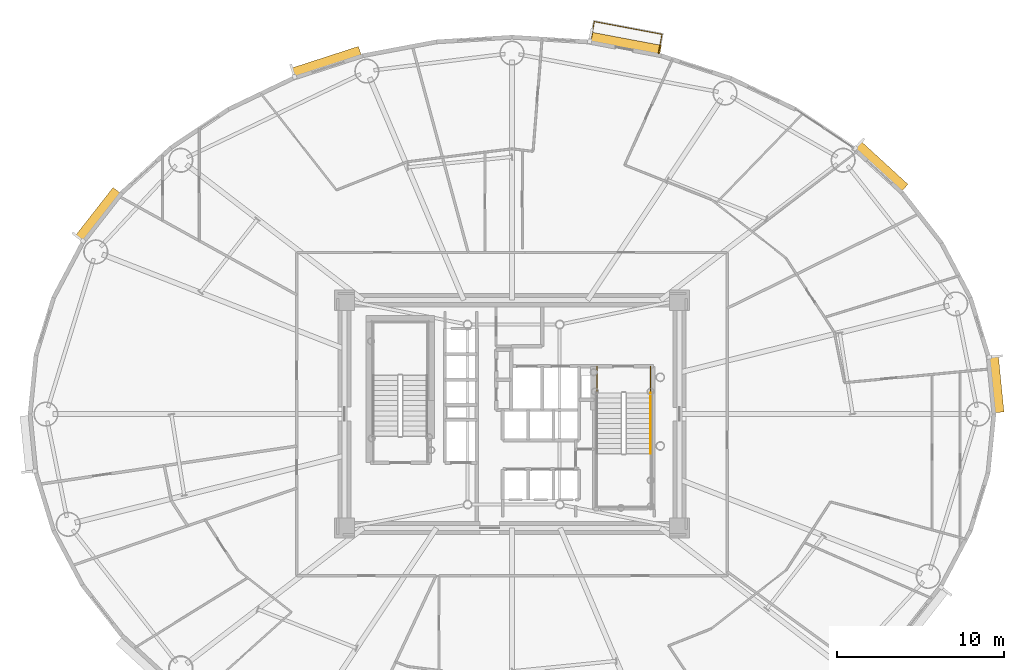
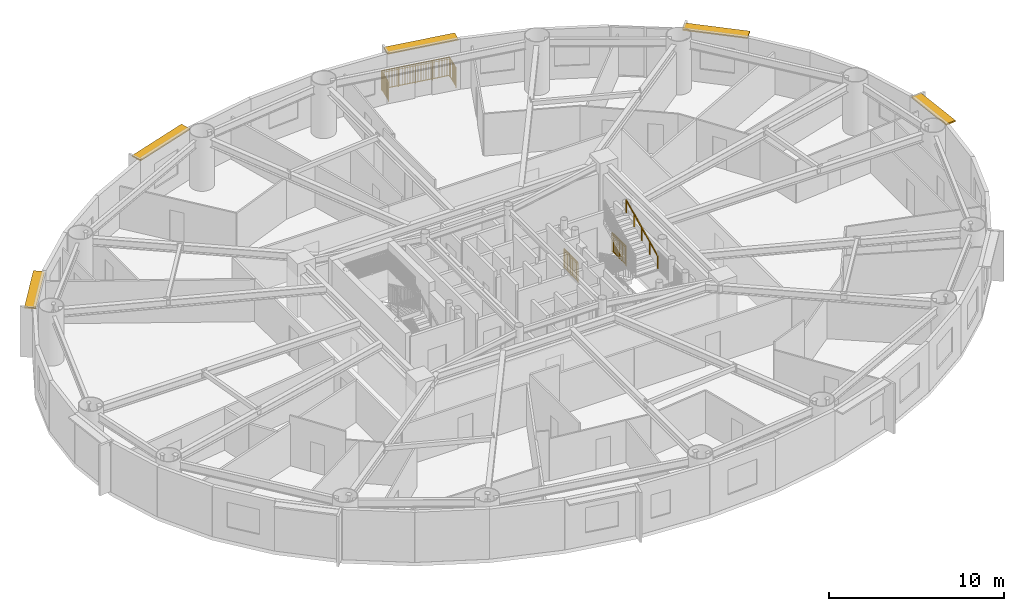
# One storey, part 21 of 21: 5 shading devices, 4 railings.
"""IFC4 building model written with IfcOpenShell, lengths in metres."""

from ifc_helpers import new_model, si_unit, direction, frame, origin, origin_2d, place, context, subcontext, project, spatial, rectangle, extrude, source, transform, mapped, material, layer, layer_set, type_object, element, save


model = new_model("IFC4")

# Units and contexts
model_context = context("Model", 3, precision=1e-05, world=origin(), true_north=direction((0.0, 1.0)))
body_context = subcontext(model_context, "Body", "Model", "MODEL_VIEW")
ifc_project = project(units=[si_unit("LENGTHUNIT", "METRE"), si_unit("AREAUNIT", "SQUARE_METRE"), si_unit("VOLUMEUNIT", "CUBIC_METRE"), si_unit("PLANEANGLEUNIT", "RADIAN"), si_unit("MASSUNIT", "GRAM", prefix="KILO")], contexts=[model_context])

# Site, building, storey
site_placement = place(None, origin())
site = spatial("IfcSite", under=ifc_project, at=site_placement, CompositionType="ELEMENT")
building_placement = place(site_placement, origin())
building = spatial("IfcBuilding", under=site, at=building_placement, Name="Linh Dai School and Residence Tower", CompositionType="ELEMENT")
storey_placement = place(building_placement, frame((0.0, 0.0, 134.699951171875)))
storey = spatial("IfcBuildingStorey", under=building, at=storey_placement, Name="L32", CompositionType="ELEMENT", Elevation=134.699951171875)

# Shading devices
ifc_material_1 = material(Name="Terracotta Ceramic Sunshade", Category="masonry")
ifc_layer = layer(ifc_material_1, 0.10009765625)
ifc_layer_set = layer_set([ifc_layer], Name="Terracotta Ceramic Sunshade")
shading_device_type = type_object("IfcShadingDeviceType", Name="SHD-TC-650", PredefinedType="USERDEFINED", material=ifc_layer_set)
shared_shape_1 = source(origin(), body_context, "Body", "SweptSolid", [
    extrude(rectangle(XDim=3.3916015625, YDim=0.64990234375, at=origin_2d()), origin(), (0.0, 0.0, 1.0), 0.10009765625),
])
shading_device_1_placement = place(storey_placement, frame((64.8818359375, 28.7861328125, 3.3798828125), z_axis=(0.0, 0.0, 1.0), x_axis=(0.100007297192, -0.994986703684, 0.0)))
element("IfcShadingDevice", 1, at=shading_device_1_placement, inside=storey, type_object=shading_device_type, Name="L32 Terracotta Horizontal Sunshade Band 01", ObjectType="SUNSHADE", PredefinedType="USERDEFINED", context=body_context, shape_type="MappedRepresentation", body=[
    mapped(shared_shape_1, transform((0.0, 0.0, 0.0), x_axis=(1.0, 0.0, 0.0), y_axis=(0.0, 1.0, 0.0), z_axis=(0.0, 0.0, 1.0), scale=1.0)),
])
shared_shape_2 = source(origin(), body_context, "Body", "SweptSolid", [
    extrude(rectangle(XDim=3.81689453125, YDim=0.64990234375, at=origin_2d()), origin(), (0.0, 0.0, 1.0), 0.10009765625),
])
shading_device_2_placement = place(storey_placement, frame((58.016357421875, 41.77001953125, 3.3798828125), z_axis=(0.0, 0.0, 1.0), x_axis=(0.737100266172, -0.675783395482, 0.0)))
element("IfcShadingDevice", 2, at=shading_device_2_placement, inside=storey, type_object=shading_device_type, Name="L32 Terracotta Horizontal Sunshade Band 05", ObjectType="SUNSHADE", PredefinedType="USERDEFINED", context=body_context, shape_type="MappedRepresentation", body=[
    mapped(shared_shape_2, transform((0.0, 0.0, 0.0), x_axis=(1.0, 0.0, 0.0), y_axis=(0.0, 1.0, 0.0), z_axis=(0.0, 0.0, 1.0), scale=1.0)),
])
shared_shape_3 = source(origin(), body_context, "Body", "SweptSolid", [
    extrude(rectangle(XDim=4.292236328125, YDim=0.64990234375, at=origin_2d()), origin(), (0.0, 0.0, 1.0), 0.10009765625),
])
shading_device_3_placement = place(storey_placement, frame((42.75537109375, 49.094482421875, 3.3798828125), z_axis=(0.0, 0.0, 1.0), x_axis=(0.982784673718, -0.18475466193, 0.0)))
element("IfcShadingDevice", 3, at=shading_device_3_placement, inside=storey, type_object=shading_device_type, Name="L32 Terracotta Horizontal Sunshade Band 09", ObjectType="SUNSHADE", PredefinedType="USERDEFINED", context=body_context, shape_type="MappedRepresentation", body=[
    mapped(shared_shape_3, transform((0.0, 0.0, 0.0), x_axis=(1.0, 0.0, 0.0), y_axis=(0.0, 1.0, 0.0), z_axis=(0.0, 0.0, 1.0), scale=1.0)),
])
shared_shape_4 = source(origin(), body_context, "Body", "SweptSolid", [
    extrude(rectangle(XDim=4.212890625, YDim=0.64990234375, at=origin_2d()), origin(), (0.0, 0.0, 1.0), 0.10009765625),
])
shading_device_4_placement = place(storey_placement, frame((24.92529296875, 47.995361328125, 3.3798828125), z_axis=(0.0, 0.0, 1.0), x_axis=(0.951217089442, 0.308522363457, 0.0)))
element("IfcShadingDevice", 4, at=shading_device_4_placement, inside=storey, type_object=shading_device_type, Name="L32 Terracotta Horizontal Sunshade Band 13", ObjectType="SUNSHADE", PredefinedType="USERDEFINED", context=body_context, shape_type="MappedRepresentation", body=[
    mapped(shared_shape_4, transform((0.0, 0.0, 0.0), x_axis=(1.0, 0.0, 0.0), y_axis=(0.0, 1.0, 0.0), z_axis=(0.0, 0.0, 1.0), scale=1.0)),
])
shared_shape_5 = source(origin(), body_context, "Body", "SweptSolid", [
    extrude(rectangle(XDim=3.67041015625, YDim=0.64990234375, at=origin_2d()), origin(), (0.0, 0.0, 1.0), 0.10009765625),
])
shading_device_5_placement = place(storey_placement, frame((11.308349609375, 38.88671875, 3.3798828125), z_axis=(0.0, 0.0, 1.0), x_axis=(0.616305017583, 0.787507539838, 0.0)))
element("IfcShadingDevice", 5, at=shading_device_5_placement, inside=storey, type_object=shading_device_type, Name="L32 Terracotta Horizontal Sunshade Band 17", ObjectType="SUNSHADE", PredefinedType="USERDEFINED", context=body_context, shape_type="MappedRepresentation", body=[
    mapped(shared_shape_5, transform((0.0, 0.0, 0.0), x_axis=(1.0, 0.0, 0.0), y_axis=(0.0, 1.0, 0.0), z_axis=(0.0, 0.0, 1.0), scale=1.0)),
])

# Railings
ifc_material_2 = material(Name="Structural Steel S355JR", Category="steel")
railing_type_1 = type_object("IfcRailingType", Name="RL-BAL-1400", PredefinedType="BALUSTRADE", material=ifc_material_2)
shared_shape_6 = source(origin(), body_context, "Body", "SweptSolid", [
    extrude(rectangle(XDim=0.048095703125, YDim=0.048095703125, at=origin_2d()), frame((0.0, 0.0, 1.3759765625), z_axis=(0.18476321632, 0.982783065531, 0.0), x_axis=(-0.982783065531, 0.18476321632, 0.0)), (0.0, 0.0, 1.0), 1.179931640625),
    extrude(rectangle(XDim=0.048095703125, YDim=0.048095703125, at=origin_2d()), frame((0.0, 0.0, 0.10009765625), z_axis=(0.18476321632, 0.982783065531, 0.0), x_axis=(-0.982783065531, 0.18476321632, 0.0)), (0.0, 0.0, 1.0), 1.179931640625),
    extrude(rectangle(XDim=0.030029296875, YDim=0.030029296875, at=origin_2d()), frame((0.0, 0.0, 1.239990234375), z_axis=(0.18476321632, 0.982783065531, 0.0), x_axis=(-0.982783065531, 0.18476321632, 0.0)), (0.0, 0.0, 1.0), 1.179931640625),
    extrude(rectangle(XDim=0.02001953125, YDim=0.02001953125, at=origin_2d()), frame((0.016845703125, 0.089111328125, 0.10009765625)), (0.0, 0.0, 1.0), 1.251708984375),
    extrude(rectangle(XDim=0.02001953125, YDim=0.02001953125, at=origin_2d()), frame((0.033447265625, 0.178466796875, 0.10009765625)), (0.0, 0.0, 1.0), 1.251708984375),
    extrude(rectangle(XDim=0.02001953125, YDim=0.02001953125, at=origin_2d()), frame((0.05029296875, 0.267578125, 0.10009765625)), (0.0, 0.0, 1.0), 1.251708984375),
    extrude(rectangle(XDim=0.02001953125, YDim=0.02001953125, at=origin_2d()), frame((0.067138671875, 0.35693359375, 0.10009765625)), (0.0, 0.0, 1.0), 1.251708984375),
    extrude(rectangle(XDim=0.02001953125, YDim=0.02001953125, at=origin_2d()), frame((0.083740234375, 0.446044921875, 0.10009765625)), (0.0, 0.0, 1.0), 1.251708984375),
    extrude(rectangle(XDim=0.02001953125, YDim=0.02001953125, at=origin_2d()), frame((0.1005859375, 0.53515625, 0.10009765625)), (0.0, 0.0, 1.0), 1.251708984375),
    extrude(rectangle(XDim=0.02001953125, YDim=0.02001953125, at=origin_2d()), frame((0.117431640625, 0.62451171875, 0.10009765625)), (0.0, 0.0, 1.0), 1.251708984375),
    extrude(rectangle(XDim=0.02001953125, YDim=0.02001953125, at=origin_2d()), frame((0.13427734375, 0.713623046875, 0.10009765625)), (0.0, 0.0, 1.0), 1.251708984375),
    extrude(rectangle(XDim=0.02001953125, YDim=0.02001953125, at=origin_2d()), frame((0.15087890625, 0.802734375, 0.10009765625)), (0.0, 0.0, 1.0), 1.251708984375),
    extrude(rectangle(XDim=0.02001953125, YDim=0.02001953125, at=origin_2d()), frame((0.167724609375, 0.89208984375, 0.10009765625)), (0.0, 0.0, 1.0), 1.251708984375),
    extrude(rectangle(XDim=0.02001953125, YDim=0.02001953125, at=origin_2d()), frame((0.1845703125, 0.981201171875, 0.10009765625)), (0.0, 0.0, 1.0), 1.251708984375),
    extrude(rectangle(XDim=0.02001953125, YDim=0.02001953125, at=origin_2d()), frame((0.201171875, 1.070556640625, 0.10009765625)), (0.0, 0.0, 1.0), 1.251708984375),
    extrude(rectangle(XDim=0.048095703125, YDim=0.048095703125, at=origin_2d()), frame((0.218017578125, 1.15966796875, 1.3759765625), z_axis=(0.98278535156, -0.184751056179, 0.0), x_axis=(0.184751056179, 0.98278535156, 0.0)), (0.0, 0.0, 1.0), 4.111083984375),
    extrude(rectangle(XDim=0.048095703125, YDim=0.048095703125, at=origin_2d()), frame((0.218017578125, 1.15966796875, 0.10009765625), z_axis=(0.98278535156, -0.184751056179, 0.0), x_axis=(0.184751056179, 0.98278535156, 0.0)), (0.0, 0.0, 1.0), 4.111083984375),
    extrude(rectangle(XDim=0.030029296875, YDim=0.030029296875, at=origin_2d()), frame((0.218017578125, 1.15966796875, 1.239990234375), z_axis=(0.98278535156, -0.184751056179, 0.0), x_axis=(0.184751056179, 0.98278535156, 0.0)), (0.0, 0.0, 1.0), 4.111083984375),
    extrude(rectangle(XDim=0.02001953125, YDim=0.02001953125, at=origin_2d()), frame((0.314208984375, 1.1416015625, 0.10009765625)), (0.0, 0.0, 1.0), 1.251708984375),
    extrude(rectangle(XDim=0.02001953125, YDim=0.02001953125, at=origin_2d()), frame((0.410400390625, 1.12353515625, 0.10009765625)), (0.0, 0.0, 1.0), 1.251708984375),
    extrude(rectangle(XDim=0.02001953125, YDim=0.02001953125, at=origin_2d()), frame((0.506591796875, 1.10546875, 0.10009765625)), (0.0, 0.0, 1.0), 1.251708984375),
    extrude(rectangle(XDim=0.02001953125, YDim=0.02001953125, at=origin_2d()), frame((0.602783203125, 1.08740234375, 0.10009765625)), (0.0, 0.0, 1.0), 1.251708984375),
    extrude(rectangle(XDim=0.02001953125, YDim=0.02001953125, at=origin_2d()), frame((0.698974609375, 1.0693359375, 0.10009765625)), (0.0, 0.0, 1.0), 1.251708984375),
    extrude(rectangle(XDim=0.02001953125, YDim=0.02001953125, at=origin_2d()), frame((0.795166015625, 1.05126953125, 0.10009765625)), (0.0, 0.0, 1.0), 1.251708984375),
    extrude(rectangle(XDim=0.02001953125, YDim=0.02001953125, at=origin_2d()), frame((0.891357421875, 1.033203125, 0.10009765625)), (0.0, 0.0, 1.0), 1.251708984375),
    extrude(rectangle(XDim=0.02001953125, YDim=0.02001953125, at=origin_2d()), frame((0.987548828125, 1.014892578125, 0.10009765625)), (0.0, 0.0, 1.0), 1.251708984375),
    extrude(rectangle(XDim=0.02001953125, YDim=0.02001953125, at=origin_2d()), frame((1.083740234375, 0.996826171875, 0.10009765625)), (0.0, 0.0, 1.0), 1.251708984375),
    extrude(rectangle(XDim=0.02001953125, YDim=0.02001953125, at=origin_2d()), frame((1.179931640625, 0.978759765625, 0.10009765625)), (0.0, 0.0, 1.0), 1.251708984375),
    extrude(rectangle(XDim=0.02001953125, YDim=0.02001953125, at=origin_2d()), frame((1.276123046875, 0.960693359375, 0.10009765625)), (0.0, 0.0, 1.0), 1.251708984375),
    extrude(rectangle(XDim=0.02001953125, YDim=0.02001953125, at=origin_2d()), frame((1.372314453125, 0.942626953125, 0.10009765625)), (0.0, 0.0, 1.0), 1.251708984375),
    extrude(rectangle(XDim=0.02001953125, YDim=0.02001953125, at=origin_2d()), frame((1.468505859375, 0.924560546875, 0.10009765625)), (0.0, 0.0, 1.0), 1.251708984375),
    extrude(rectangle(XDim=0.02001953125, YDim=0.02001953125, at=origin_2d()), frame((1.564697265625, 0.906494140625, 0.10009765625)), (0.0, 0.0, 1.0), 1.251708984375),
    extrude(rectangle(XDim=0.02001953125, YDim=0.02001953125, at=origin_2d()), frame((1.660888671875, 0.888427734375, 0.10009765625)), (0.0, 0.0, 1.0), 1.251708984375),
    extrude(rectangle(XDim=0.02001953125, YDim=0.02001953125, at=origin_2d()), frame((1.757080078125, 0.870361328125, 0.10009765625)), (0.0, 0.0, 1.0), 1.251708984375),
    extrude(rectangle(XDim=0.02001953125, YDim=0.02001953125, at=origin_2d()), frame((1.853271484375, 0.852294921875, 0.10009765625)), (0.0, 0.0, 1.0), 1.251708984375),
    extrude(rectangle(XDim=0.02001953125, YDim=0.02001953125, at=origin_2d()), frame((1.949462890625, 0.834228515625, 0.10009765625)), (0.0, 0.0, 1.0), 1.251708984375),
    extrude(rectangle(XDim=0.02001953125, YDim=0.02001953125, at=origin_2d()), frame((2.045654296875, 0.816162109375, 0.10009765625)), (0.0, 0.0, 1.0), 1.251708984375),
    extrude(rectangle(XDim=0.02001953125, YDim=0.02001953125, at=origin_2d()), frame((2.141845703125, 0.798095703125, 0.10009765625)), (0.0, 0.0, 1.0), 1.251708984375),
    extrude(rectangle(XDim=0.02001953125, YDim=0.02001953125, at=origin_2d()), frame((2.33447265625, 0.76171875, 0.10009765625)), (0.0, 0.0, 1.0), 1.251708984375),
    extrude(rectangle(XDim=0.02001953125, YDim=0.02001953125, at=origin_2d()), frame((2.4306640625, 0.74365234375, 0.10009765625)), (0.0, 0.0, 1.0), 1.251708984375),
    extrude(rectangle(XDim=0.02001953125, YDim=0.02001953125, at=origin_2d()), frame((2.52685546875, 0.7255859375, 0.10009765625)), (0.0, 0.0, 1.0), 1.251708984375),
    extrude(rectangle(XDim=0.02001953125, YDim=0.02001953125, at=origin_2d()), frame((2.623046875, 0.70751953125, 0.10009765625)), (0.0, 0.0, 1.0), 1.251708984375),
    extrude(rectangle(XDim=0.02001953125, YDim=0.02001953125, at=origin_2d()), frame((2.71923828125, 0.689453125, 0.10009765625)), (0.0, 0.0, 1.0), 1.251708984375),
    extrude(rectangle(XDim=0.02001953125, YDim=0.02001953125, at=origin_2d()), frame((2.8154296875, 0.67138671875, 0.10009765625)), (0.0, 0.0, 1.0), 1.251708984375),
    extrude(rectangle(XDim=0.02001953125, YDim=0.02001953125, at=origin_2d()), frame((2.91162109375, 0.6533203125, 0.10009765625)), (0.0, 0.0, 1.0), 1.251708984375),
    extrude(rectangle(XDim=0.02001953125, YDim=0.02001953125, at=origin_2d()), frame((3.0078125, 0.63525390625, 0.10009765625)), (0.0, 0.0, 1.0), 1.251708984375),
    extrude(rectangle(XDim=0.02001953125, YDim=0.02001953125, at=origin_2d()), frame((3.10400390625, 0.6171875, 0.10009765625)), (0.0, 0.0, 1.0), 1.251708984375),
    extrude(rectangle(XDim=0.02001953125, YDim=0.02001953125, at=origin_2d()), frame((3.2001953125, 0.59912109375, 0.10009765625)), (0.0, 0.0, 1.0), 1.251708984375),
    extrude(rectangle(XDim=0.02001953125, YDim=0.02001953125, at=origin_2d()), frame((3.29638671875, 0.5810546875, 0.10009765625)), (0.0, 0.0, 1.0), 1.251708984375),
    extrude(rectangle(XDim=0.02001953125, YDim=0.02001953125, at=origin_2d()), frame((3.392578125, 0.56298828125, 0.10009765625)), (0.0, 0.0, 1.0), 1.251708984375),
    extrude(rectangle(XDim=0.02001953125, YDim=0.02001953125, at=origin_2d()), frame((3.48876953125, 0.544921875, 0.10009765625)), (0.0, 0.0, 1.0), 1.251708984375),
    extrude(rectangle(XDim=0.02001953125, YDim=0.02001953125, at=origin_2d()), frame((3.5849609375, 0.52685546875, 0.10009765625)), (0.0, 0.0, 1.0), 1.251708984375),
    extrude(rectangle(XDim=0.02001953125, YDim=0.02001953125, at=origin_2d()), frame((3.68115234375, 0.508544921875, 0.10009765625)), (0.0, 0.0, 1.0), 1.251708984375),
    extrude(rectangle(XDim=0.02001953125, YDim=0.02001953125, at=origin_2d()), frame((3.77734375, 0.490478515625, 0.10009765625)), (0.0, 0.0, 1.0), 1.251708984375),
    extrude(rectangle(XDim=0.02001953125, YDim=0.02001953125, at=origin_2d()), frame((3.87353515625, 0.472412109375, 0.10009765625)), (0.0, 0.0, 1.0), 1.251708984375),
    extrude(rectangle(XDim=0.02001953125, YDim=0.02001953125, at=origin_2d()), frame((3.9697265625, 0.454345703125, 0.10009765625)), (0.0, 0.0, 1.0), 1.251708984375),
    extrude(rectangle(XDim=0.02001953125, YDim=0.02001953125, at=origin_2d()), frame((4.06591796875, 0.436279296875, 0.10009765625)), (0.0, 0.0, 1.0), 1.251708984375),
    extrude(rectangle(XDim=0.02001953125, YDim=0.02001953125, at=origin_2d()), frame((4.162109375, 0.418212890625, 0.10009765625)), (0.0, 0.0, 1.0), 1.251708984375),
    extrude(rectangle(XDim=0.048095703125, YDim=0.048095703125, at=origin_2d()), frame((4.25830078125, 0.400146484375, 1.3759765625), z_axis=(-0.18476321632, -0.982783065531, 0.0), x_axis=(0.982783065531, -0.18476321632, 0.0)), (0.0, 0.0, 1.0), 1.179931640625),
    extrude(rectangle(XDim=0.048095703125, YDim=0.048095703125, at=origin_2d()), frame((4.25830078125, 0.400146484375, 0.10009765625), z_axis=(-0.18476321632, -0.982783065531, 0.0), x_axis=(0.982783065531, -0.18476321632, 0.0)), (0.0, 0.0, 1.0), 1.179931640625),
    extrude(rectangle(XDim=0.030029296875, YDim=0.030029296875, at=origin_2d()), frame((4.25830078125, 0.400146484375, 1.239990234375), z_axis=(-0.18476321632, -0.982783065531, 0.0), x_axis=(0.982783065531, -0.18476321632, 0.0)), (0.0, 0.0, 1.0), 1.179931640625),
    extrude(rectangle(XDim=0.02001953125, YDim=0.02001953125, at=origin_2d()), frame((4.241455078125, 0.31103515625, 0.10009765625)), (0.0, 0.0, 1.0), 1.251708984375),
    extrude(rectangle(XDim=0.02001953125, YDim=0.02001953125, at=origin_2d()), frame((4.224853515625, 0.2216796875, 0.10009765625)), (0.0, 0.0, 1.0), 1.251708984375),
    extrude(rectangle(XDim=0.02001953125, YDim=0.02001953125, at=origin_2d()), frame((4.2080078125, 0.132568359375, 0.10009765625)), (0.0, 0.0, 1.0), 1.251708984375),
    extrude(rectangle(XDim=0.02001953125, YDim=0.02001953125, at=origin_2d()), frame((4.191162109375, 0.043212890625, 0.10009765625)), (0.0, 0.0, 1.0), 1.251708984375),
    extrude(rectangle(XDim=0.02001953125, YDim=0.02001953125, at=origin_2d()), frame((4.174560546875, -0.0458984375, 0.10009765625)), (0.0, 0.0, 1.0), 1.251708984375),
    extrude(rectangle(XDim=0.02001953125, YDim=0.02001953125, at=origin_2d()), frame((4.15771484375, -0.135009765625, 0.10009765625)), (0.0, 0.0, 1.0), 1.251708984375),
    extrude(rectangle(XDim=0.02001953125, YDim=0.02001953125, at=origin_2d()), frame((4.140869140625, -0.224365234375, 0.10009765625)), (0.0, 0.0, 1.0), 1.251708984375),
    extrude(rectangle(XDim=0.02001953125, YDim=0.02001953125, at=origin_2d()), frame((4.1240234375, -0.3134765625, 0.10009765625)), (0.0, 0.0, 1.0), 1.251708984375),
    extrude(rectangle(XDim=0.02001953125, YDim=0.02001953125, at=origin_2d()), frame((4.107421875, -0.402587890625, 0.10009765625)), (0.0, 0.0, 1.0), 1.251708984375),
    extrude(rectangle(XDim=0.02001953125, YDim=0.02001953125, at=origin_2d()), frame((4.090576171875, -0.491943359375, 0.10009765625)), (0.0, 0.0, 1.0), 1.251708984375),
    extrude(rectangle(XDim=0.02001953125, YDim=0.02001953125, at=origin_2d()), frame((4.07373046875, -0.5810546875, 0.10009765625)), (0.0, 0.0, 1.0), 1.251708984375),
    extrude(rectangle(XDim=0.02001953125, YDim=0.02001953125, at=origin_2d()), frame((4.05712890625, -0.67041015625, 0.10009765625)), (0.0, 0.0, 1.0), 1.251708984375),
    extrude(rectangle(XDim=0.0419921875, YDim=0.0419921875, at=origin_2d()), origin(), (0.0, 0.0, 1.0), 1.3759765625),
    extrude(rectangle(XDim=0.0419921875, YDim=0.0419921875, at=origin_2d()), frame((0.218017578125, 1.15966796875, 0.0)), (0.0, 0.0, 1.0), 1.3759765625),
    extrude(rectangle(XDim=0.0419921875, YDim=0.0419921875, at=origin_2d()), frame((1.22802734375, 0.9697265625, 0.0)), (0.0, 0.0, 1.0), 1.3759765625),
    extrude(rectangle(XDim=0.0419921875, YDim=0.0419921875, at=origin_2d()), frame((2.23828125, 0.77978515625, 0.0)), (0.0, 0.0, 1.0), 1.3759765625),
    extrude(rectangle(XDim=0.0419921875, YDim=0.0419921875, at=origin_2d()), frame((3.248291015625, 0.590087890625, 0.0)), (0.0, 0.0, 1.0), 1.3759765625),
    extrude(rectangle(XDim=0.0419921875, YDim=0.0419921875, at=origin_2d()), frame((4.25830078125, 0.400146484375, 0.0)), (0.0, 0.0, 1.0), 1.3759765625),
    extrude(rectangle(XDim=0.0419921875, YDim=0.0419921875, at=origin_2d()), frame((4.040283203125, -0.759521484375, 0.0)), (0.0, 0.0, 1.0), 1.3759765625),
])
railing_1_placement = place(storey_placement, frame((40.6982421875, 49.277587890625, 0.0)))
element("IfcRailing", 6, at=railing_1_placement, inside=storey, type_object=railing_type_1, Name="L32 Balcony Safety Balustrade 09", PredefinedType="BALUSTRADE", context=body_context, shape_type="MappedRepresentation", body=[
    mapped(shared_shape_6, transform((0.0, 0.0, 0.0), x_axis=(1.0, 0.0, 0.0), y_axis=(0.0, 1.0, 0.0), z_axis=(0.0, 0.0, 1.0), scale=1.0)),
])
ifc_material_3 = material(Name="Brushed Stainless Steel Handrail", Category="steel")
railing_type_2 = type_object("IfcRailingType", Name="RL-ST-HANDRAIL-900", PredefinedType="HANDRAIL", material=ifc_material_3)
shared_shape_7 = source(origin(), body_context, "Body", "SweptSolid", [
    extrude(rectangle(XDim=0.048095703125, YDim=0.048095703125, at=origin_2d()), frame((0.0, 0.0, 0.8759765625), z_axis=(0.0, 0.901262522062, 0.433273431364), x_axis=(-1.0, 0.0, 0.0)), (0.0, 0.0, 1.0), 3.994384765625),
    extrude(rectangle(XDim=0.0419921875, YDim=0.0419921875, at=origin_2d()), origin(), (0.0, 0.0, 1.0), 0.8759765625),
    extrude(rectangle(XDim=0.0419921875, YDim=0.0419921875, at=origin_2d()), frame((0.0, 0.89990234375, 0.4326171875)), (0.0, 0.0, 1.0), 0.8759765625),
    extrude(rectangle(XDim=0.0419921875, YDim=0.0419921875, at=origin_2d()), frame((0.0, 1.800048828125, 0.865234375)), (0.0, 0.0, 1.0), 0.8759765625),
    extrude(rectangle(XDim=0.0419921875, YDim=0.0419921875, at=origin_2d()), frame((0.0, 2.7001953125, 1.298095703125)), (0.0, 0.0, 1.0), 0.8759765625),
    extrude(rectangle(XDim=0.0419921875, YDim=0.0419921875, at=origin_2d()), frame((0.0, 3.60009765625, 1.730712890625)), (0.0, 0.0, 1.0), 0.8759765625),
])
railing_2_placement = place(storey_placement, frame((44.27001953125, 24.64990234375, 2.019287109375)))
element("IfcRailing", 7, at=railing_2_placement, inside=storey, type_object=railing_type_2, Name="L32 ST2 stair handrail 2", PredefinedType="HANDRAIL", context=body_context, shape_type="MappedRepresentation", body=[
    mapped(shared_shape_7, transform((0.0, 0.0, 0.0), x_axis=(1.0, 0.0, 0.0), y_axis=(0.0, 1.0, 0.0), z_axis=(0.0, 0.0, 1.0), scale=1.0)),
])
railing_type_3 = type_object("IfcRailingType", Name="RL-ST-GUARD-1400", PredefinedType="GUARDRAIL", material=ifc_material_2)
shared_shape_8 = source(origin(), body_context, "Body", "SweptSolid", [
    extrude(rectangle(XDim=0.048095703125, YDim=0.048095703125, at=origin_2d()), frame((0.0, 0.0, 1.3759765625), z_axis=(0.0, -1.0, 0.0), x_axis=(1.0, 0.0, 0.0)), (0.0, 0.0, 1.0), 1.60009765625),
    extrude(rectangle(XDim=0.048095703125, YDim=0.048095703125, at=origin_2d()), frame((0.0, 0.0, 0.10009765625), z_axis=(0.0, -1.0, 0.0), x_axis=(1.0, 0.0, 0.0)), (0.0, 0.0, 1.0), 1.60009765625),
    extrude(rectangle(XDim=0.030029296875, YDim=0.030029296875, at=origin_2d()), frame((0.0, 0.0, 1.239990234375), z_axis=(0.0, -1.0, 0.0), x_axis=(1.0, 0.0, 0.0)), (0.0, 0.0, 1.0), 1.60009765625),
    extrude(rectangle(XDim=0.02001953125, YDim=0.02001953125, at=origin_2d()), frame((0.0, -0.09423828125, 0.10009765625)), (0.0, 0.0, 1.0), 1.251708984375),
    extrude(rectangle(XDim=0.02001953125, YDim=0.02001953125, at=origin_2d()), frame((0.0, -0.188232421875, 0.10009765625)), (0.0, 0.0, 1.0), 1.251708984375),
    extrude(rectangle(XDim=0.02001953125, YDim=0.02001953125, at=origin_2d()), frame((0.0, -0.282470703125, 0.10009765625)), (0.0, 0.0, 1.0), 1.251708984375),
    extrude(rectangle(XDim=0.02001953125, YDim=0.02001953125, at=origin_2d()), frame((0.0, -0.37646484375, 0.10009765625)), (0.0, 0.0, 1.0), 1.251708984375),
    extrude(rectangle(XDim=0.02001953125, YDim=0.02001953125, at=origin_2d()), frame((0.0, -0.470703125, 0.10009765625)), (0.0, 0.0, 1.0), 1.251708984375),
    extrude(rectangle(XDim=0.02001953125, YDim=0.02001953125, at=origin_2d()), frame((0.0, -0.564697265625, 0.10009765625)), (0.0, 0.0, 1.0), 1.251708984375),
    extrude(rectangle(XDim=0.02001953125, YDim=0.02001953125, at=origin_2d()), frame((0.0, -0.658935546875, 0.10009765625)), (0.0, 0.0, 1.0), 1.251708984375),
    extrude(rectangle(XDim=0.02001953125, YDim=0.02001953125, at=origin_2d()), frame((0.0, -0.7529296875, 0.10009765625)), (0.0, 0.0, 1.0), 1.251708984375),
    extrude(rectangle(XDim=0.02001953125, YDim=0.02001953125, at=origin_2d()), frame((0.0, -0.84716796875, 0.10009765625)), (0.0, 0.0, 1.0), 1.251708984375),
    extrude(rectangle(XDim=0.02001953125, YDim=0.02001953125, at=origin_2d()), frame((0.0, -0.941162109375, 0.10009765625)), (0.0, 0.0, 1.0), 1.251708984375),
    extrude(rectangle(XDim=0.02001953125, YDim=0.02001953125, at=origin_2d()), frame((0.0, -1.035400390625, 0.10009765625)), (0.0, 0.0, 1.0), 1.251708984375),
    extrude(rectangle(XDim=0.02001953125, YDim=0.02001953125, at=origin_2d()), frame((0.0, -1.12939453125, 0.10009765625)), (0.0, 0.0, 1.0), 1.251708984375),
    extrude(rectangle(XDim=0.02001953125, YDim=0.02001953125, at=origin_2d()), frame((0.0, -1.2236328125, 0.10009765625)), (0.0, 0.0, 1.0), 1.251708984375),
    extrude(rectangle(XDim=0.02001953125, YDim=0.02001953125, at=origin_2d()), frame((0.0, -1.317626953125, 0.10009765625)), (0.0, 0.0, 1.0), 1.251708984375),
    extrude(rectangle(XDim=0.02001953125, YDim=0.02001953125, at=origin_2d()), frame((0.0, -1.411865234375, 0.10009765625)), (0.0, 0.0, 1.0), 1.251708984375),
    extrude(rectangle(XDim=0.02001953125, YDim=0.02001953125, at=origin_2d()), frame((0.0, -1.505859375, 0.10009765625)), (0.0, 0.0, 1.0), 1.251708984375),
    extrude(rectangle(XDim=0.0419921875, YDim=0.0419921875, at=origin_2d()), origin(), (0.0, 0.0, 1.0), 1.3759765625),
    extrude(rectangle(XDim=0.0419921875, YDim=0.0419921875, at=origin_2d()), frame((0.0, -0.800048828125, 0.0)), (0.0, 0.0, 1.0), 1.3759765625),
    extrude(rectangle(XDim=0.0419921875, YDim=0.0419921875, at=origin_2d()), frame((0.0, -1.60009765625, 0.0)), (0.0, 0.0, 1.0), 1.3759765625),
])
for number, where, name in (
    (8, (41.070068359375, 29.85009765625, 0.0), "L32 ST2 stair guard 8"),
    (9, (44.27001953125, 29.85009765625, 0.0), "L32 ST2 stair guard 9"),
):
    element("IfcRailing", number, at=place(storey_placement, frame(where)), inside=storey, type_object=railing_type_3, Name=name, PredefinedType="GUARDRAIL", context=body_context, shape_type="MappedRepresentation", body=[
        mapped(shared_shape_8, transform((0.0, 0.0, 0.0), x_axis=(1.0, 0.0, 0.0), y_axis=(0.0, 1.0, 0.0), z_axis=(0.0, 0.0, 1.0), scale=1.0)),
    ])

save(model, "model.ifc")
